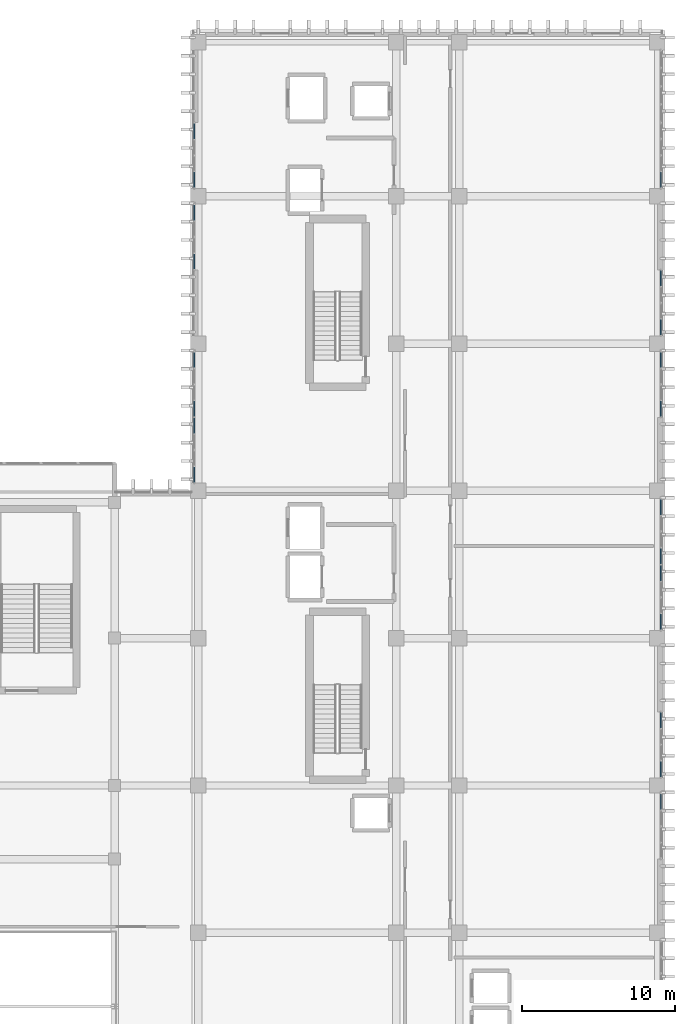
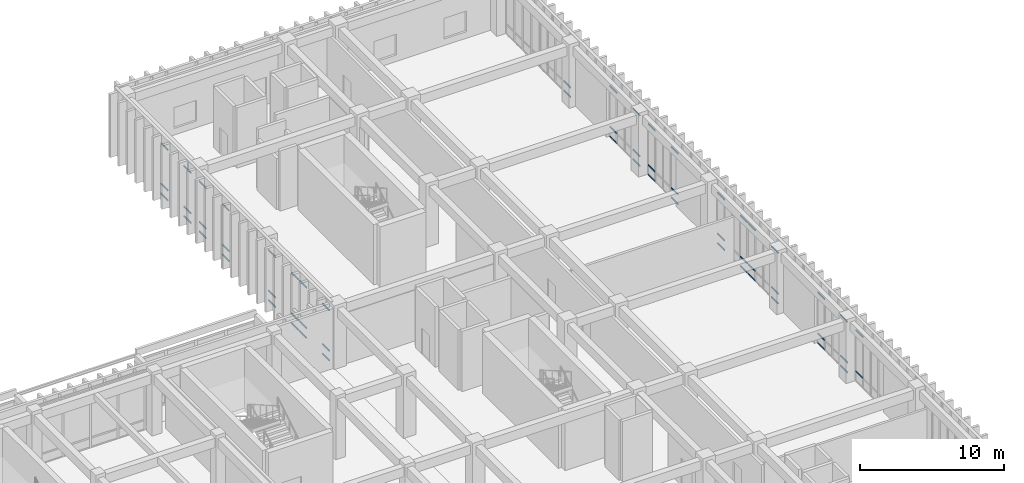
# One storey, part 89 of 134: 58 members, 11 elements without a shape of their own.
"""IFC4 building model written with IfcOpenShell, lengths in metres."""

from ifc_helpers import new_model, si_unit, direction, frame, origin, origin_2d, place, context, subcontext, project, spatial, hollow_rectangle, extrude, material, layer, layer_set, material_profile, profile_set, type_object, element, aggregate, save


model = new_model("IFC4")

# Units and contexts
model_context = context("Model", 3, precision=1e-05, world=origin(), true_north=direction((0.0, 1.0)))
body_context = subcontext(model_context, "Body", "Model", "MODEL_VIEW")
ifc_project = project(units=[si_unit("LENGTHUNIT", "METRE"), si_unit("AREAUNIT", "SQUARE_METRE"), si_unit("VOLUMEUNIT", "CUBIC_METRE"), si_unit("PLANEANGLEUNIT", "RADIAN"), si_unit("MASSUNIT", "GRAM", prefix="KILO")], contexts=[model_context])

# Site, building, storey
site_placement = place(None, origin())
site = spatial("IfcSite", under=ifc_project, at=site_placement, CompositionType="ELEMENT")
building_placement = place(site_placement, origin())
building = spatial("IfcBuilding", under=site, at=building_placement, Name="Nakhvara Creek Congress Hotel", CompositionType="ELEMENT")
storey_placement = place(building_placement, frame((0.0, 0.0, 6.0)))
storey = spatial("IfcBuildingStorey", under=building, at=storey_placement, Name="L01", CompositionType="ELEMENT", Elevation=6.0)

# Curtain wall, members
ifc_material_1 = material(Name="Bronze-anodised aluminium AW-6063-T6 and double-silver low-E glass", Category="aluminium")
ifc_layer = layer(ifc_material_1, 0.199951171875)
ifc_layer_set = layer_set([ifc_layer], Name="Bronze-anodised aluminium AW-6063-T6 and double-silver low-E glass")
curtain_wall_type = type_object("IfcCurtainWallType", Name="CW-HTL-UNIT", PredefinedType="USERDEFINED", material=ifc_layer_set)
curtain_wall_1_placement = place(storey_placement, origin())
curtain_wall_1 = element("IfcCurtainWall", 1, at=curtain_wall_1_placement, inside=storey, type_object=curtain_wall_type, Name="Curtain Wall CW116", ObjectType="UNITISED", PredefinedType="USERDEFINED")
ifc_material_2 = material(Name="Bronze-anodised aluminium AW-6063-T6", Category="aluminium")
ifc_material_profile = material_profile(ifc_material_2, hollow_rectangle(XDim=0.06494140625, YDim=0.1201171875, WallThickness=0.00390625, at=origin_2d()), Name="ALU-TRAN 65x120x4", Category="LoadBearing")
ifc_profile_set = profile_set([ifc_material_profile], Name="Bronze-anodised aluminium AW-6063-T6")
member_type = type_object("IfcMemberType", Name="CW-TRAN-120", PredefinedType="USERDEFINED", material=ifc_profile_set)
member_1_placement = place(storey_placement, frame((179.60009765625, 76.219970703125, 0.85009765625), z_axis=(0.0, -1.0, 0.0), x_axis=(1.0, 0.0, 0.0)))
member_1 = element("IfcMember", 2, at=member_1_placement, type_object=member_type, Name="CW116 transom 1.2", ObjectType="TRANSOM", PredefinedType="USERDEFINED", context=body_context, shape_type="SweptSolid", body=[
    extrude(hollow_rectangle(XDim=0.06494140625, YDim=0.1201171875, WallThickness=0.00390625, at=origin_2d()), origin(), (0.0, 0.0, 1.0), 0.9736328125),
])
member_2_placement = place(storey_placement, frame((179.60009765625, 76.219970703125, 4.3095703125), z_axis=(0.0, -1.0, 0.0), x_axis=(1.0, 0.0, 0.0)))
member_2 = element("IfcMember", 3, at=member_2_placement, type_object=member_type, Name="CW116 transom 1.3", ObjectType="TRANSOM", PredefinedType="USERDEFINED", context=body_context, shape_type="SweptSolid", body=[
    extrude(hollow_rectangle(XDim=0.06494140625, YDim=0.1201171875, WallThickness=0.00390625, at=origin_2d()), origin(), (0.0, 0.0, 1.0), 0.9736328125),
])
aggregate(curtain_wall_1, [member_1, member_2])

curtain_wall_2_placement = place(storey_placement, origin())
curtain_wall_2 = element("IfcCurtainWall", 4, at=curtain_wall_2_placement, inside=storey, type_object=curtain_wall_type, Name="Curtain Wall CW117", ObjectType="UNITISED", PredefinedType="USERDEFINED")
member_3_placement = place(storey_placement, frame((179.60009765625, 81.534912109375, 0.032470703125), z_axis=(0.0, -1.0, 0.0), x_axis=(1.0, 0.0, 0.0)))
member_3 = element("IfcMember", 5, at=member_3_placement, type_object=member_type, Name="CW117 transom 1.1", ObjectType="TRANSOM", PredefinedType="USERDEFINED", context=body_context, shape_type="SweptSolid", body=[
    extrude(hollow_rectangle(XDim=0.06494140625, YDim=0.1201171875, WallThickness=0.00390625, at=origin_2d()), origin(), (0.0, 0.0, 1.0), 0.9736328125),
])
member_4_placement = place(storey_placement, frame((179.60009765625, 81.534912109375, 0.85009765625), z_axis=(0.0, -1.0, 0.0), x_axis=(1.0, 0.0, 0.0)))
member_4 = element("IfcMember", 6, at=member_4_placement, type_object=member_type, Name="CW117 transom 1.2", ObjectType="TRANSOM", PredefinedType="USERDEFINED", context=body_context, shape_type="SweptSolid", body=[
    extrude(hollow_rectangle(XDim=0.06494140625, YDim=0.1201171875, WallThickness=0.00390625, at=origin_2d()), origin(), (0.0, 0.0, 1.0), 0.9736328125),
])
member_5_placement = place(storey_placement, frame((179.60009765625, 81.534912109375, 4.3095703125), z_axis=(0.0, -1.0, 0.0), x_axis=(1.0, 0.0, 0.0)))
member_5 = element("IfcMember", 7, at=member_5_placement, type_object=member_type, Name="CW117 transom 1.3", ObjectType="TRANSOM", PredefinedType="USERDEFINED", context=body_context, shape_type="SweptSolid", body=[
    extrude(hollow_rectangle(XDim=0.06494140625, YDim=0.1201171875, WallThickness=0.00390625, at=origin_2d()), origin(), (0.0, 0.0, 1.0), 0.9736328125),
])
member_6_placement = place(storey_placement, frame((179.60009765625, 78.353759765625, 0.032470703125), z_axis=(0.0, -1.0, 0.0), x_axis=(1.0, 0.0, 0.0)))
member_6 = element("IfcMember", 8, at=member_6_placement, type_object=member_type, Name="CW117 transom 4.1", ObjectType="TRANSOM", PredefinedType="USERDEFINED", context=body_context, shape_type="SweptSolid", body=[
    extrude(hollow_rectangle(XDim=0.06494140625, YDim=0.1201171875, WallThickness=0.00390625, at=origin_2d()), origin(), (0.0, 0.0, 1.0), 0.973876953125),
])
member_7_placement = place(storey_placement, frame((179.60009765625, 78.353759765625, 0.85009765625), z_axis=(0.0, -1.0, 0.0), x_axis=(1.0, 0.0, 0.0)))
member_7 = element("IfcMember", 9, at=member_7_placement, type_object=member_type, Name="CW117 transom 4.2", ObjectType="TRANSOM", PredefinedType="USERDEFINED", context=body_context, shape_type="SweptSolid", body=[
    extrude(hollow_rectangle(XDim=0.06494140625, YDim=0.1201171875, WallThickness=0.00390625, at=origin_2d()), origin(), (0.0, 0.0, 1.0), 0.973876953125),
])
member_8_placement = place(storey_placement, frame((179.60009765625, 78.353759765625, 4.3095703125), z_axis=(0.0, -1.0, 0.0), x_axis=(1.0, 0.0, 0.0)))
member_8 = element("IfcMember", 10, at=member_8_placement, type_object=member_type, Name="CW117 transom 4.3", ObjectType="TRANSOM", PredefinedType="USERDEFINED", context=body_context, shape_type="SweptSolid", body=[
    extrude(hollow_rectangle(XDim=0.06494140625, YDim=0.1201171875, WallThickness=0.00390625, at=origin_2d()), origin(), (0.0, 0.0, 1.0), 0.973876953125),
])
aggregate(curtain_wall_2, [member_3, member_4, member_5, member_6, member_7, member_8])

curtain_wall_3_placement = place(storey_placement, origin())
curtain_wall_3 = element("IfcCurtainWall", 11, at=curtain_wall_3_placement, inside=storey, type_object=curtain_wall_type, Name="Curtain Wall CW118", ObjectType="UNITISED", PredefinedType="USERDEFINED")
member_9_placement = place(storey_placement, frame((179.60009765625, 91.135009765625, 0.032470703125), z_axis=(0.0, -1.0, 0.0), x_axis=(1.0, 0.0, 0.0)))
member_9 = element("IfcMember", 12, at=member_9_placement, type_object=member_type, Name="CW118 transom 1.1", ObjectType="TRANSOM", PredefinedType="USERDEFINED", context=body_context, shape_type="SweptSolid", body=[
    extrude(hollow_rectangle(XDim=0.06494140625, YDim=0.1201171875, WallThickness=0.00390625, at=origin_2d()), origin(), (0.0, 0.0, 1.0), 0.973876953125),
])
member_10_placement = place(storey_placement, frame((179.60009765625, 91.135009765625, 0.85009765625), z_axis=(0.0, -1.0, 0.0), x_axis=(1.0, 0.0, 0.0)))
member_10 = element("IfcMember", 13, at=member_10_placement, type_object=member_type, Name="CW118 transom 1.2", ObjectType="TRANSOM", PredefinedType="USERDEFINED", context=body_context, shape_type="SweptSolid", body=[
    extrude(hollow_rectangle(XDim=0.06494140625, YDim=0.1201171875, WallThickness=0.00390625, at=origin_2d()), origin(), (0.0, 0.0, 1.0), 0.973876953125),
])
member_11_placement = place(storey_placement, frame((179.60009765625, 91.135009765625, 4.3095703125), z_axis=(0.0, -1.0, 0.0), x_axis=(1.0, 0.0, 0.0)))
member_11 = element("IfcMember", 14, at=member_11_placement, type_object=member_type, Name="CW118 transom 1.3", ObjectType="TRANSOM", PredefinedType="USERDEFINED", context=body_context, shape_type="SweptSolid", body=[
    extrude(hollow_rectangle(XDim=0.06494140625, YDim=0.1201171875, WallThickness=0.00390625, at=origin_2d()), origin(), (0.0, 0.0, 1.0), 0.973876953125),
])
member_12_placement = place(storey_placement, frame((179.60009765625, 87.953857421875, 0.032470703125), z_axis=(0.0, -1.0, 0.0), x_axis=(1.0, 0.0, 0.0)))
member_12 = element("IfcMember", 15, at=member_12_placement, type_object=member_type, Name="CW118 transom 4.1", ObjectType="TRANSOM", PredefinedType="USERDEFINED", context=body_context, shape_type="SweptSolid", body=[
    extrude(hollow_rectangle(XDim=0.06494140625, YDim=0.1201171875, WallThickness=0.00390625, at=origin_2d()), origin(), (0.0, 0.0, 1.0), 0.973876953125),
])
member_13_placement = place(storey_placement, frame((179.60009765625, 87.953857421875, 0.85009765625), z_axis=(0.0, -1.0, 0.0), x_axis=(1.0, 0.0, 0.0)))
member_13 = element("IfcMember", 16, at=member_13_placement, type_object=member_type, Name="CW118 transom 4.2", ObjectType="TRANSOM", PredefinedType="USERDEFINED", context=body_context, shape_type="SweptSolid", body=[
    extrude(hollow_rectangle(XDim=0.06494140625, YDim=0.1201171875, WallThickness=0.00390625, at=origin_2d()), origin(), (0.0, 0.0, 1.0), 0.973876953125),
])
member_14_placement = place(storey_placement, frame((179.60009765625, 87.953857421875, 4.3095703125), z_axis=(0.0, -1.0, 0.0), x_axis=(1.0, 0.0, 0.0)))
member_14 = element("IfcMember", 17, at=member_14_placement, type_object=member_type, Name="CW118 transom 4.3", ObjectType="TRANSOM", PredefinedType="USERDEFINED", context=body_context, shape_type="SweptSolid", body=[
    extrude(hollow_rectangle(XDim=0.06494140625, YDim=0.1201171875, WallThickness=0.00390625, at=origin_2d()), origin(), (0.0, 0.0, 1.0), 0.973876953125),
])
aggregate(curtain_wall_3, [member_9, member_10, member_11, member_12, member_13, member_14])

curtain_wall_4_placement = place(storey_placement, origin())
curtain_wall_4 = element("IfcCurtainWall", 18, at=curtain_wall_4_placement, inside=storey, type_object=curtain_wall_type, Name="Curtain Wall CW119", ObjectType="UNITISED", PredefinedType="USERDEFINED")
member_15_placement = place(storey_placement, frame((179.60009765625, 95.419921875, 0.032470703125), z_axis=(0.0, -1.0, 0.0), x_axis=(1.0, 0.0, 0.0)))
member_15 = element("IfcMember", 19, at=member_15_placement, type_object=member_type, Name="CW119 transom 1.1", ObjectType="TRANSOM", PredefinedType="USERDEFINED", context=body_context, shape_type="SweptSolid", body=[
    extrude(hollow_rectangle(XDim=0.06494140625, YDim=0.1201171875, WallThickness=0.00390625, at=origin_2d()), origin(), (0.0, 0.0, 1.0), 0.9736328125),
])
member_16_placement = place(storey_placement, frame((179.60009765625, 95.419921875, 0.85009765625), z_axis=(0.0, -1.0, 0.0), x_axis=(1.0, 0.0, 0.0)))
member_16 = element("IfcMember", 20, at=member_16_placement, type_object=member_type, Name="CW119 transom 1.2", ObjectType="TRANSOM", PredefinedType="USERDEFINED", context=body_context, shape_type="SweptSolid", body=[
    extrude(hollow_rectangle(XDim=0.06494140625, YDim=0.1201171875, WallThickness=0.00390625, at=origin_2d()), origin(), (0.0, 0.0, 1.0), 0.9736328125),
])
member_17_placement = place(storey_placement, frame((179.60009765625, 95.419921875, 4.3095703125), z_axis=(0.0, -1.0, 0.0), x_axis=(1.0, 0.0, 0.0)))
member_17 = element("IfcMember", 21, at=member_17_placement, type_object=member_type, Name="CW119 transom 1.3", ObjectType="TRANSOM", PredefinedType="USERDEFINED", context=body_context, shape_type="SweptSolid", body=[
    extrude(hollow_rectangle(XDim=0.06494140625, YDim=0.1201171875, WallThickness=0.00390625, at=origin_2d()), origin(), (0.0, 0.0, 1.0), 0.9736328125),
])
member_18_placement = place(storey_placement, frame((179.60009765625, 92.23876953125, 0.032470703125), z_axis=(0.0, -1.0, 0.0), x_axis=(1.0, 0.0, 0.0)))
member_18 = element("IfcMember", 22, at=member_18_placement, type_object=member_type, Name="CW119 transom 4.1", ObjectType="TRANSOM", PredefinedType="USERDEFINED", context=body_context, shape_type="SweptSolid", body=[
    extrude(hollow_rectangle(XDim=0.06494140625, YDim=0.1201171875, WallThickness=0.00390625, at=origin_2d()), origin(), (0.0, 0.0, 1.0), 0.973876953125),
])
member_19_placement = place(storey_placement, frame((179.60009765625, 92.23876953125, 0.85009765625), z_axis=(0.0, -1.0, 0.0), x_axis=(1.0, 0.0, 0.0)))
member_19 = element("IfcMember", 23, at=member_19_placement, type_object=member_type, Name="CW119 transom 4.2", ObjectType="TRANSOM", PredefinedType="USERDEFINED", context=body_context, shape_type="SweptSolid", body=[
    extrude(hollow_rectangle(XDim=0.06494140625, YDim=0.1201171875, WallThickness=0.00390625, at=origin_2d()), origin(), (0.0, 0.0, 1.0), 0.973876953125),
])
member_20_placement = place(storey_placement, frame((179.60009765625, 92.23876953125, 4.3095703125), z_axis=(0.0, -1.0, 0.0), x_axis=(1.0, 0.0, 0.0)))
member_20 = element("IfcMember", 24, at=member_20_placement, type_object=member_type, Name="CW119 transom 4.3", ObjectType="TRANSOM", PredefinedType="USERDEFINED", context=body_context, shape_type="SweptSolid", body=[
    extrude(hollow_rectangle(XDim=0.06494140625, YDim=0.1201171875, WallThickness=0.00390625, at=origin_2d()), origin(), (0.0, 0.0, 1.0), 0.973876953125),
])
aggregate(curtain_wall_4, [member_15, member_16, member_17, member_18, member_19, member_20])

curtain_wall_5_placement = place(storey_placement, origin())
curtain_wall_5 = element("IfcCurtainWall", 25, at=curtain_wall_5_placement, inside=storey, type_object=curtain_wall_type, Name="Curtain Wall CW120", ObjectType="UNITISED", PredefinedType="USERDEFINED")
member_21_placement = place(storey_placement, frame((149.199951171875, 96.580078125, 0.032470703125), z_axis=(0.0, 1.0, 0.0), x_axis=(-1.0, 0.0, 0.0)))
member_21 = element("IfcMember", 26, at=member_21_placement, type_object=member_type, Name="CW120 transom 1.1", ObjectType="TRANSOM", PredefinedType="USERDEFINED", context=body_context, shape_type="SweptSolid", body=[
    extrude(hollow_rectangle(XDim=0.06494140625, YDim=0.1201171875, WallThickness=0.00390625, at=origin_2d()), origin(), (0.0, 0.0, 1.0), 0.9736328125),
])
member_22_placement = place(storey_placement, frame((149.199951171875, 96.580078125, 0.85009765625), z_axis=(0.0, 1.0, 0.0), x_axis=(-1.0, 0.0, 0.0)))
member_22 = element("IfcMember", 27, at=member_22_placement, type_object=member_type, Name="CW120 transom 1.2", ObjectType="TRANSOM", PredefinedType="USERDEFINED", context=body_context, shape_type="SweptSolid", body=[
    extrude(hollow_rectangle(XDim=0.06494140625, YDim=0.1201171875, WallThickness=0.00390625, at=origin_2d()), origin(), (0.0, 0.0, 1.0), 0.9736328125),
])
member_23_placement = place(storey_placement, frame((149.199951171875, 96.580078125, 4.279541015625), z_axis=(0.0, 1.0, 0.0), x_axis=(-1.0, 0.0, 0.0)))
member_23 = element("IfcMember", 28, at=member_23_placement, type_object=member_type, Name="CW120 transom 1.3", ObjectType="TRANSOM", PredefinedType="USERDEFINED", context=body_context, shape_type="SweptSolid", body=[
    extrude(hollow_rectangle(XDim=0.06494140625, YDim=0.1201171875, WallThickness=0.00390625, at=origin_2d()), origin(), (0.0, 0.0, 1.0), 0.9736328125),
])
member_24_placement = place(storey_placement, frame((149.199951171875, 99.76123046875, 0.032470703125), z_axis=(0.0, 1.0, 0.0), x_axis=(-1.0, 0.0, 0.0)))
member_24 = element("IfcMember", 29, at=member_24_placement, type_object=member_type, Name="CW120 transom 4.1", ObjectType="TRANSOM", PredefinedType="USERDEFINED", context=body_context, shape_type="SweptSolid", body=[
    extrude(hollow_rectangle(XDim=0.06494140625, YDim=0.1201171875, WallThickness=0.00390625, at=origin_2d()), origin(), (0.0, 0.0, 1.0), 0.973876953125),
])
member_25_placement = place(storey_placement, frame((149.199951171875, 99.76123046875, 0.85009765625), z_axis=(0.0, 1.0, 0.0), x_axis=(-1.0, 0.0, 0.0)))
member_25 = element("IfcMember", 30, at=member_25_placement, type_object=member_type, Name="CW120 transom 4.2", ObjectType="TRANSOM", PredefinedType="USERDEFINED", context=body_context, shape_type="SweptSolid", body=[
    extrude(hollow_rectangle(XDim=0.06494140625, YDim=0.1201171875, WallThickness=0.00390625, at=origin_2d()), origin(), (0.0, 0.0, 1.0), 0.973876953125),
])
member_26_placement = place(storey_placement, frame((149.199951171875, 99.76123046875, 4.279541015625), z_axis=(0.0, 1.0, 0.0), x_axis=(-1.0, 0.0, 0.0)))
member_26 = element("IfcMember", 31, at=member_26_placement, type_object=member_type, Name="CW120 transom 4.3", ObjectType="TRANSOM", PredefinedType="USERDEFINED", context=body_context, shape_type="SweptSolid", body=[
    extrude(hollow_rectangle(XDim=0.06494140625, YDim=0.1201171875, WallThickness=0.00390625, at=origin_2d()), origin(), (0.0, 0.0, 1.0), 0.973876953125),
])
aggregate(curtain_wall_5, [member_21, member_22, member_23, member_24, member_25, member_26])

curtain_wall_6_placement = place(storey_placement, origin())
curtain_wall_6 = element("IfcCurtainWall", 32, at=curtain_wall_6_placement, inside=storey, type_object=curtain_wall_type, Name="Curtain Wall CW121", ObjectType="UNITISED", PredefinedType="USERDEFINED")
member_27_placement = place(storey_placement, frame((179.60009765625, 105.02001953125, 0.032470703125), z_axis=(0.0, -1.0, 0.0), x_axis=(1.0, 0.0, 0.0)))
member_27 = element("IfcMember", 33, at=member_27_placement, type_object=member_type, Name="CW121 transom 1.1", ObjectType="TRANSOM", PredefinedType="USERDEFINED", context=body_context, shape_type="SweptSolid", body=[
    extrude(hollow_rectangle(XDim=0.06494140625, YDim=0.1201171875, WallThickness=0.00390625, at=origin_2d()), origin(), (0.0, 0.0, 1.0), 0.973876953125),
])
member_28_placement = place(storey_placement, frame((179.60009765625, 105.02001953125, 0.85009765625), z_axis=(0.0, -1.0, 0.0), x_axis=(1.0, 0.0, 0.0)))
member_28 = element("IfcMember", 34, at=member_28_placement, type_object=member_type, Name="CW121 transom 1.2", ObjectType="TRANSOM", PredefinedType="USERDEFINED", context=body_context, shape_type="SweptSolid", body=[
    extrude(hollow_rectangle(XDim=0.06494140625, YDim=0.1201171875, WallThickness=0.00390625, at=origin_2d()), origin(), (0.0, 0.0, 1.0), 0.973876953125),
])
member_29_placement = place(storey_placement, frame((179.60009765625, 105.02001953125, 4.3095703125), z_axis=(0.0, -1.0, 0.0), x_axis=(1.0, 0.0, 0.0)))
member_29 = element("IfcMember", 35, at=member_29_placement, type_object=member_type, Name="CW121 transom 1.3", ObjectType="TRANSOM", PredefinedType="USERDEFINED", context=body_context, shape_type="SweptSolid", body=[
    extrude(hollow_rectangle(XDim=0.06494140625, YDim=0.1201171875, WallThickness=0.00390625, at=origin_2d()), origin(), (0.0, 0.0, 1.0), 0.973876953125),
])
member_30_placement = place(storey_placement, frame((179.60009765625, 101.8388671875, 0.032470703125), z_axis=(0.0, -1.0, 0.0), x_axis=(1.0, 0.0, 0.0)))
member_30 = element("IfcMember", 36, at=member_30_placement, type_object=member_type, Name="CW121 transom 4.1", ObjectType="TRANSOM", PredefinedType="USERDEFINED", context=body_context, shape_type="SweptSolid", body=[
    extrude(hollow_rectangle(XDim=0.06494140625, YDim=0.1201171875, WallThickness=0.00390625, at=origin_2d()), origin(), (0.0, 0.0, 1.0), 0.973876953125),
])
member_31_placement = place(storey_placement, frame((179.60009765625, 101.8388671875, 0.85009765625), z_axis=(0.0, -1.0, 0.0), x_axis=(1.0, 0.0, 0.0)))
member_31 = element("IfcMember", 37, at=member_31_placement, type_object=member_type, Name="CW121 transom 4.2", ObjectType="TRANSOM", PredefinedType="USERDEFINED", context=body_context, shape_type="SweptSolid", body=[
    extrude(hollow_rectangle(XDim=0.06494140625, YDim=0.1201171875, WallThickness=0.00390625, at=origin_2d()), origin(), (0.0, 0.0, 1.0), 0.973876953125),
])
member_32_placement = place(storey_placement, frame((179.60009765625, 101.8388671875, 4.3095703125), z_axis=(0.0, -1.0, 0.0), x_axis=(1.0, 0.0, 0.0)))
member_32 = element("IfcMember", 38, at=member_32_placement, type_object=member_type, Name="CW121 transom 4.3", ObjectType="TRANSOM", PredefinedType="USERDEFINED", context=body_context, shape_type="SweptSolid", body=[
    extrude(hollow_rectangle(XDim=0.06494140625, YDim=0.1201171875, WallThickness=0.00390625, at=origin_2d()), origin(), (0.0, 0.0, 1.0), 0.973876953125),
])
aggregate(curtain_wall_6, [member_27, member_28, member_29, member_30, member_31, member_32])

curtain_wall_7_placement = place(storey_placement, origin())
curtain_wall_7 = element("IfcCurtainWall", 39, at=curtain_wall_7_placement, inside=storey, type_object=curtain_wall_type, Name="Curtain Wall CW122", ObjectType="UNITISED", PredefinedType="USERDEFINED")
member_33_placement = place(storey_placement, frame((149.199951171875, 100.864990234375, 0.032470703125), z_axis=(0.0, 1.0, 0.0), x_axis=(-1.0, 0.0, 0.0)))
member_33 = element("IfcMember", 40, at=member_33_placement, type_object=member_type, Name="CW122 transom 1.1", ObjectType="TRANSOM", PredefinedType="USERDEFINED", context=body_context, shape_type="SweptSolid", body=[
    extrude(hollow_rectangle(XDim=0.06494140625, YDim=0.1201171875, WallThickness=0.00390625, at=origin_2d()), origin(), (0.0, 0.0, 1.0), 0.973876953125),
])
member_34_placement = place(storey_placement, frame((149.199951171875, 100.864990234375, 0.85009765625), z_axis=(0.0, 1.0, 0.0), x_axis=(-1.0, 0.0, 0.0)))
member_34 = element("IfcMember", 41, at=member_34_placement, type_object=member_type, Name="CW122 transom 1.2", ObjectType="TRANSOM", PredefinedType="USERDEFINED", context=body_context, shape_type="SweptSolid", body=[
    extrude(hollow_rectangle(XDim=0.06494140625, YDim=0.1201171875, WallThickness=0.00390625, at=origin_2d()), origin(), (0.0, 0.0, 1.0), 0.973876953125),
])
member_35_placement = place(storey_placement, frame((149.199951171875, 100.864990234375, 4.279541015625), z_axis=(0.0, 1.0, 0.0), x_axis=(-1.0, 0.0, 0.0)))
member_35 = element("IfcMember", 42, at=member_35_placement, type_object=member_type, Name="CW122 transom 1.3", ObjectType="TRANSOM", PredefinedType="USERDEFINED", context=body_context, shape_type="SweptSolid", body=[
    extrude(hollow_rectangle(XDim=0.06494140625, YDim=0.1201171875, WallThickness=0.00390625, at=origin_2d()), origin(), (0.0, 0.0, 1.0), 0.973876953125),
])
member_36_placement = place(storey_placement, frame((149.199951171875, 104.046142578125, 0.032470703125), z_axis=(0.0, 1.0, 0.0), x_axis=(-1.0, 0.0, 0.0)))
member_36 = element("IfcMember", 43, at=member_36_placement, type_object=member_type, Name="CW122 transom 4.1", ObjectType="TRANSOM", PredefinedType="USERDEFINED", context=body_context, shape_type="SweptSolid", body=[
    extrude(hollow_rectangle(XDim=0.06494140625, YDim=0.1201171875, WallThickness=0.00390625, at=origin_2d()), origin(), (0.0, 0.0, 1.0), 0.973876953125),
])
member_37_placement = place(storey_placement, frame((149.199951171875, 104.046142578125, 0.85009765625), z_axis=(0.0, 1.0, 0.0), x_axis=(-1.0, 0.0, 0.0)))
member_37 = element("IfcMember", 44, at=member_37_placement, type_object=member_type, Name="CW122 transom 4.2", ObjectType="TRANSOM", PredefinedType="USERDEFINED", context=body_context, shape_type="SweptSolid", body=[
    extrude(hollow_rectangle(XDim=0.06494140625, YDim=0.1201171875, WallThickness=0.00390625, at=origin_2d()), origin(), (0.0, 0.0, 1.0), 0.973876953125),
])
member_38_placement = place(storey_placement, frame((149.199951171875, 104.046142578125, 4.279541015625), z_axis=(0.0, 1.0, 0.0), x_axis=(-1.0, 0.0, 0.0)))
member_38 = element("IfcMember", 45, at=member_38_placement, type_object=member_type, Name="CW122 transom 4.3", ObjectType="TRANSOM", PredefinedType="USERDEFINED", context=body_context, shape_type="SweptSolid", body=[
    extrude(hollow_rectangle(XDim=0.06494140625, YDim=0.1201171875, WallThickness=0.00390625, at=origin_2d()), origin(), (0.0, 0.0, 1.0), 0.973876953125),
])
aggregate(curtain_wall_7, [member_33, member_34, member_35, member_36, member_37, member_38])

curtain_wall_8_placement = place(storey_placement, origin())
curtain_wall_8 = element("IfcCurtainWall", 46, at=curtain_wall_8_placement, inside=storey, type_object=curtain_wall_type, Name="Curtain Wall CW123", ObjectType="UNITISED", PredefinedType="USERDEFINED")
member_39_placement = place(storey_placement, frame((179.60009765625, 110.3349609375, 0.032470703125), z_axis=(0.0, -1.0, 0.0), x_axis=(1.0, 0.0, 0.0)))
member_39 = element("IfcMember", 47, at=member_39_placement, type_object=member_type, Name="CW123 transom 1.1", ObjectType="TRANSOM", PredefinedType="USERDEFINED", context=body_context, shape_type="SweptSolid", body=[
    extrude(hollow_rectangle(XDim=0.06494140625, YDim=0.1201171875, WallThickness=0.00390625, at=origin_2d()), origin(), (0.0, 0.0, 1.0), 0.9736328125),
])
member_40_placement = place(storey_placement, frame((179.60009765625, 110.3349609375, 0.85009765625), z_axis=(0.0, -1.0, 0.0), x_axis=(1.0, 0.0, 0.0)))
member_40 = element("IfcMember", 48, at=member_40_placement, type_object=member_type, Name="CW123 transom 1.2", ObjectType="TRANSOM", PredefinedType="USERDEFINED", context=body_context, shape_type="SweptSolid", body=[
    extrude(hollow_rectangle(XDim=0.06494140625, YDim=0.1201171875, WallThickness=0.00390625, at=origin_2d()), origin(), (0.0, 0.0, 1.0), 0.9736328125),
])
member_41_placement = place(storey_placement, frame((179.60009765625, 110.3349609375, 4.3095703125), z_axis=(0.0, -1.0, 0.0), x_axis=(1.0, 0.0, 0.0)))
member_41 = element("IfcMember", 49, at=member_41_placement, type_object=member_type, Name="CW123 transom 1.3", ObjectType="TRANSOM", PredefinedType="USERDEFINED", context=body_context, shape_type="SweptSolid", body=[
    extrude(hollow_rectangle(XDim=0.06494140625, YDim=0.1201171875, WallThickness=0.00390625, at=origin_2d()), origin(), (0.0, 0.0, 1.0), 0.9736328125),
])
member_42_placement = place(storey_placement, frame((179.60009765625, 107.15380859375, 0.032470703125), z_axis=(0.0, -1.0, 0.0), x_axis=(1.0, 0.0, 0.0)))
member_42 = element("IfcMember", 50, at=member_42_placement, type_object=member_type, Name="CW123 transom 4.1", ObjectType="TRANSOM", PredefinedType="USERDEFINED", context=body_context, shape_type="SweptSolid", body=[
    extrude(hollow_rectangle(XDim=0.06494140625, YDim=0.1201171875, WallThickness=0.00390625, at=origin_2d()), origin(), (0.0, 0.0, 1.0), 0.973876953125),
])
member_43_placement = place(storey_placement, frame((179.60009765625, 107.15380859375, 0.85009765625), z_axis=(0.0, -1.0, 0.0), x_axis=(1.0, 0.0, 0.0)))
member_43 = element("IfcMember", 51, at=member_43_placement, type_object=member_type, Name="CW123 transom 4.2", ObjectType="TRANSOM", PredefinedType="USERDEFINED", context=body_context, shape_type="SweptSolid", body=[
    extrude(hollow_rectangle(XDim=0.06494140625, YDim=0.1201171875, WallThickness=0.00390625, at=origin_2d()), origin(), (0.0, 0.0, 1.0), 0.973876953125),
])
member_44_placement = place(storey_placement, frame((179.60009765625, 107.15380859375, 4.3095703125), z_axis=(0.0, -1.0, 0.0), x_axis=(1.0, 0.0, 0.0)))
member_44 = element("IfcMember", 52, at=member_44_placement, type_object=member_type, Name="CW123 transom 4.3", ObjectType="TRANSOM", PredefinedType="USERDEFINED", context=body_context, shape_type="SweptSolid", body=[
    extrude(hollow_rectangle(XDim=0.06494140625, YDim=0.1201171875, WallThickness=0.00390625, at=origin_2d()), origin(), (0.0, 0.0, 1.0), 0.973876953125),
])
aggregate(curtain_wall_8, [member_39, member_40, member_41, member_42, member_43, member_44])

curtain_wall_9_placement = place(storey_placement, origin())
curtain_wall_9 = element("IfcCurtainWall", 53, at=curtain_wall_9_placement, inside=storey, type_object=curtain_wall_type, Name="Curtain Wall CW124", ObjectType="UNITISED", PredefinedType="USERDEFINED")
member_45_placement = place(storey_placement, frame((149.199951171875, 110.465087890625, 0.032470703125), z_axis=(0.0, 1.0, 0.0), x_axis=(-1.0, 0.0, 0.0)))
member_45 = element("IfcMember", 54, at=member_45_placement, type_object=member_type, Name="CW124 transom 1.1", ObjectType="TRANSOM", PredefinedType="USERDEFINED", context=body_context, shape_type="SweptSolid", body=[
    extrude(hollow_rectangle(XDim=0.06494140625, YDim=0.1201171875, WallThickness=0.00390625, at=origin_2d()), origin(), (0.0, 0.0, 1.0), 0.9736328125),
])
member_46_placement = place(storey_placement, frame((149.199951171875, 110.465087890625, 0.85009765625), z_axis=(0.0, 1.0, 0.0), x_axis=(-1.0, 0.0, 0.0)))
member_46 = element("IfcMember", 55, at=member_46_placement, type_object=member_type, Name="CW124 transom 1.2", ObjectType="TRANSOM", PredefinedType="USERDEFINED", context=body_context, shape_type="SweptSolid", body=[
    extrude(hollow_rectangle(XDim=0.06494140625, YDim=0.1201171875, WallThickness=0.00390625, at=origin_2d()), origin(), (0.0, 0.0, 1.0), 0.9736328125),
])
member_47_placement = place(storey_placement, frame((149.199951171875, 110.465087890625, 4.279541015625), z_axis=(0.0, 1.0, 0.0), x_axis=(-1.0, 0.0, 0.0)))
member_47 = element("IfcMember", 56, at=member_47_placement, type_object=member_type, Name="CW124 transom 1.3", ObjectType="TRANSOM", PredefinedType="USERDEFINED", context=body_context, shape_type="SweptSolid", body=[
    extrude(hollow_rectangle(XDim=0.06494140625, YDim=0.1201171875, WallThickness=0.00390625, at=origin_2d()), origin(), (0.0, 0.0, 1.0), 0.9736328125),
])
member_48_placement = place(storey_placement, frame((149.199951171875, 113.646240234375, 0.032470703125), z_axis=(0.0, 1.0, 0.0), x_axis=(-1.0, 0.0, 0.0)))
member_48 = element("IfcMember", 57, at=member_48_placement, type_object=member_type, Name="CW124 transom 4.1", ObjectType="TRANSOM", PredefinedType="USERDEFINED", context=body_context, shape_type="SweptSolid", body=[
    extrude(hollow_rectangle(XDim=0.06494140625, YDim=0.1201171875, WallThickness=0.00390625, at=origin_2d()), origin(), (0.0, 0.0, 1.0), 0.973876953125),
])
member_49_placement = place(storey_placement, frame((149.199951171875, 113.646240234375, 0.85009765625), z_axis=(0.0, 1.0, 0.0), x_axis=(-1.0, 0.0, 0.0)))
member_49 = element("IfcMember", 58, at=member_49_placement, type_object=member_type, Name="CW124 transom 4.2", ObjectType="TRANSOM", PredefinedType="USERDEFINED", context=body_context, shape_type="SweptSolid", body=[
    extrude(hollow_rectangle(XDim=0.06494140625, YDim=0.1201171875, WallThickness=0.00390625, at=origin_2d()), origin(), (0.0, 0.0, 1.0), 0.973876953125),
])
member_50_placement = place(storey_placement, frame((149.199951171875, 113.646240234375, 4.279541015625), z_axis=(0.0, 1.0, 0.0), x_axis=(-1.0, 0.0, 0.0)))
member_50 = element("IfcMember", 59, at=member_50_placement, type_object=member_type, Name="CW124 transom 4.3", ObjectType="TRANSOM", PredefinedType="USERDEFINED", context=body_context, shape_type="SweptSolid", body=[
    extrude(hollow_rectangle(XDim=0.06494140625, YDim=0.1201171875, WallThickness=0.00390625, at=origin_2d()), origin(), (0.0, 0.0, 1.0), 0.973876953125),
])
aggregate(curtain_wall_9, [member_45, member_46, member_47, member_48, member_49, member_50])

curtain_wall_10_placement = place(storey_placement, origin())
curtain_wall_10 = element("IfcCurtainWall", 60, at=curtain_wall_10_placement, inside=storey, type_object=curtain_wall_type, Name="Curtain Wall CW125", ObjectType="UNITISED", PredefinedType="USERDEFINED")
member_51_placement = place(storey_placement, frame((179.60009765625, 116.753662109375, 0.032470703125), z_axis=(0.0, -1.0, 0.0), x_axis=(1.0, 0.0, 0.0)))
member_51 = element("IfcMember", 61, at=member_51_placement, type_object=member_type, Name="CW125 transom 4.1", ObjectType="TRANSOM", PredefinedType="USERDEFINED", context=body_context, shape_type="SweptSolid", body=[
    extrude(hollow_rectangle(XDim=0.06494140625, YDim=0.1201171875, WallThickness=0.00390625, at=origin_2d()), origin(), (0.0, 0.0, 1.0), 0.9736328125),
])
member_52_placement = place(storey_placement, frame((179.60009765625, 116.753662109375, 0.85009765625), z_axis=(0.0, -1.0, 0.0), x_axis=(1.0, 0.0, 0.0)))
member_52 = element("IfcMember", 62, at=member_52_placement, type_object=member_type, Name="CW125 transom 4.2", ObjectType="TRANSOM", PredefinedType="USERDEFINED", context=body_context, shape_type="SweptSolid", body=[
    extrude(hollow_rectangle(XDim=0.06494140625, YDim=0.1201171875, WallThickness=0.00390625, at=origin_2d()), origin(), (0.0, 0.0, 1.0), 0.9736328125),
])
aggregate(curtain_wall_10, [member_51, member_52])

curtain_wall_11_placement = place(storey_placement, origin())
curtain_wall_11 = element("IfcCurtainWall", 63, at=curtain_wall_11_placement, inside=storey, type_object=curtain_wall_type, Name="Curtain Wall CW126", ObjectType="UNITISED", PredefinedType="USERDEFINED")
member_53_placement = place(storey_placement, frame((149.199951171875, 115.780029296875, 0.032470703125), z_axis=(0.0, 1.0, 0.0), x_axis=(-1.0, 0.0, 0.0)))
member_53 = element("IfcMember", 64, at=member_53_placement, type_object=member_type, Name="CW126 transom 1.1", ObjectType="TRANSOM", PredefinedType="USERDEFINED", context=body_context, shape_type="SweptSolid", body=[
    extrude(hollow_rectangle(XDim=0.06494140625, YDim=0.1201171875, WallThickness=0.00390625, at=origin_2d()), origin(), (0.0, 0.0, 1.0), 0.9736328125),
])
member_54_placement = place(storey_placement, frame((149.199951171875, 115.780029296875, 0.85009765625), z_axis=(0.0, 1.0, 0.0), x_axis=(-1.0, 0.0, 0.0)))
member_54 = element("IfcMember", 65, at=member_54_placement, type_object=member_type, Name="CW126 transom 1.2", ObjectType="TRANSOM", PredefinedType="USERDEFINED", context=body_context, shape_type="SweptSolid", body=[
    extrude(hollow_rectangle(XDim=0.06494140625, YDim=0.1201171875, WallThickness=0.00390625, at=origin_2d()), origin(), (0.0, 0.0, 1.0), 0.9736328125),
])
member_55_placement = place(storey_placement, frame((149.199951171875, 115.780029296875, 4.279541015625), z_axis=(0.0, 1.0, 0.0), x_axis=(-1.0, 0.0, 0.0)))
member_55 = element("IfcMember", 66, at=member_55_placement, type_object=member_type, Name="CW126 transom 1.3", ObjectType="TRANSOM", PredefinedType="USERDEFINED", context=body_context, shape_type="SweptSolid", body=[
    extrude(hollow_rectangle(XDim=0.06494140625, YDim=0.1201171875, WallThickness=0.00390625, at=origin_2d()), origin(), (0.0, 0.0, 1.0), 0.9736328125),
])
member_56_placement = place(storey_placement, frame((149.199951171875, 118.961181640625, 0.032470703125), z_axis=(0.0, 1.0, 0.0), x_axis=(-1.0, 0.0, 0.0)))
member_56 = element("IfcMember", 67, at=member_56_placement, type_object=member_type, Name="CW126 transom 4.1", ObjectType="TRANSOM", PredefinedType="USERDEFINED", context=body_context, shape_type="SweptSolid", body=[
    extrude(hollow_rectangle(XDim=0.06494140625, YDim=0.1201171875, WallThickness=0.00390625, at=origin_2d()), origin(), (0.0, 0.0, 1.0), 0.973876953125),
])
member_57_placement = place(storey_placement, frame((149.199951171875, 118.961181640625, 0.85009765625), z_axis=(0.0, 1.0, 0.0), x_axis=(-1.0, 0.0, 0.0)))
member_57 = element("IfcMember", 68, at=member_57_placement, type_object=member_type, Name="CW126 transom 4.2", ObjectType="TRANSOM", PredefinedType="USERDEFINED", context=body_context, shape_type="SweptSolid", body=[
    extrude(hollow_rectangle(XDim=0.06494140625, YDim=0.1201171875, WallThickness=0.00390625, at=origin_2d()), origin(), (0.0, 0.0, 1.0), 0.973876953125),
])
member_58_placement = place(storey_placement, frame((149.199951171875, 118.961181640625, 4.279541015625), z_axis=(0.0, 1.0, 0.0), x_axis=(-1.0, 0.0, 0.0)))
member_58 = element("IfcMember", 69, at=member_58_placement, type_object=member_type, Name="CW126 transom 4.3", ObjectType="TRANSOM", PredefinedType="USERDEFINED", context=body_context, shape_type="SweptSolid", body=[
    extrude(hollow_rectangle(XDim=0.06494140625, YDim=0.1201171875, WallThickness=0.00390625, at=origin_2d()), origin(), (0.0, 0.0, 1.0), 0.973876953125),
])
aggregate(curtain_wall_11, [member_53, member_54, member_55, member_56, member_57, member_58])

save(model, "model.ifc")
